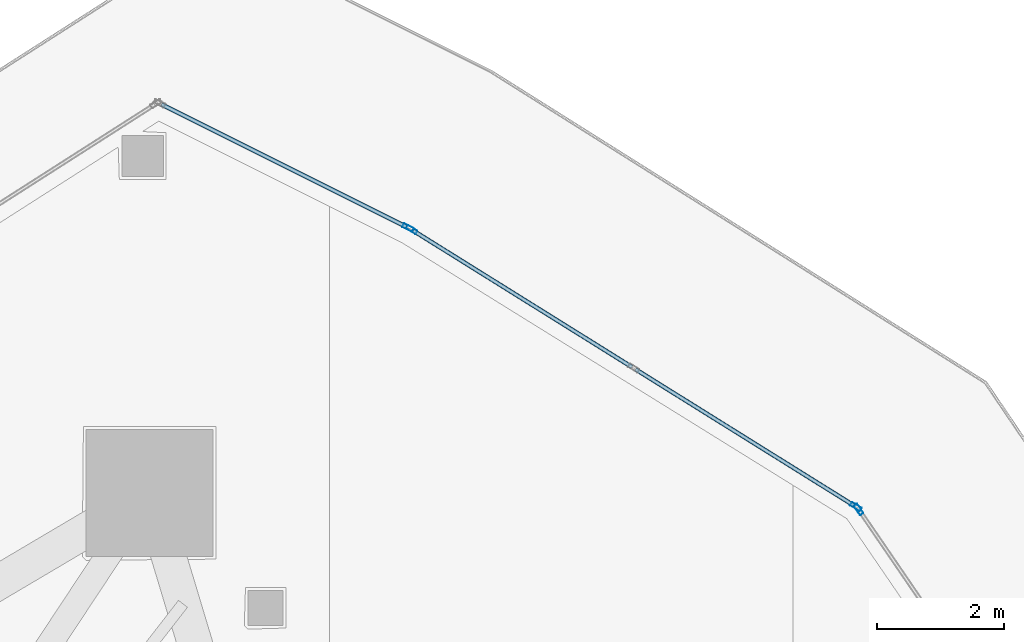
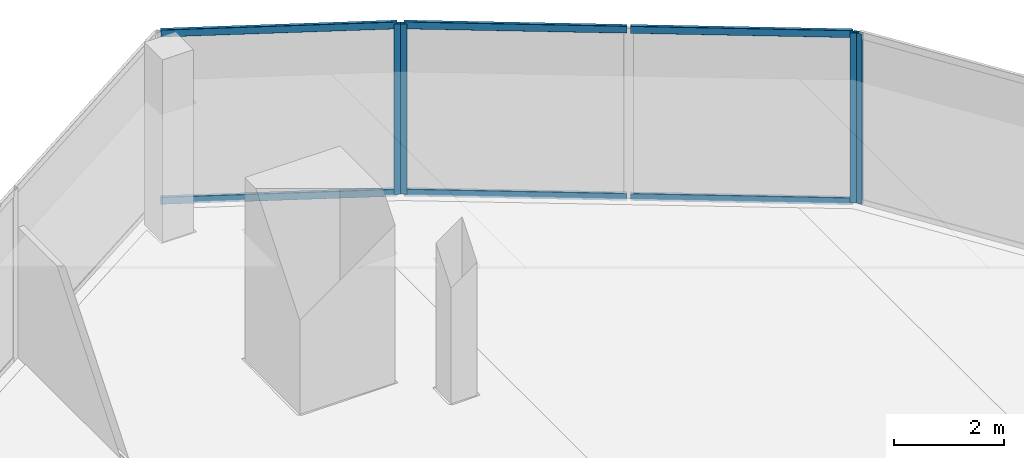
# One storey, part 23 of 36: 10 members, 3 elements without a shape of their own.
"""IFC4 building model written with IfcOpenShell, lengths in metres."""

from ifc_helpers import new_model, si_unit, direction, frame, origin, origin_2d, place, context, subcontext, project, spatial, hollow_rectangle, extrude, material, layer, layer_set, material_profile, profile_set, type_object, element, aggregate, save


model = new_model("IFC4")

# Units and contexts
model_context = context("Model", 3, precision=1e-05, world=origin(), true_north=direction((0.0, 1.0)))
body_context = subcontext(model_context, "Body", "Model", "MODEL_VIEW")
ifc_project = project(units=[si_unit("LENGTHUNIT", "METRE"), si_unit("AREAUNIT", "SQUARE_METRE"), si_unit("VOLUMEUNIT", "CUBIC_METRE"), si_unit("PLANEANGLEUNIT", "RADIAN"), si_unit("MASSUNIT", "GRAM", prefix="KILO")], contexts=[model_context])

# Site, building, storey
site_placement = place(None, origin())
site = spatial("IfcSite", under=ifc_project, at=site_placement, CompositionType="ELEMENT")
building_placement = place(site_placement, origin())
building = spatial("IfcBuilding", under=site, at=building_placement, Name="Qorvath Tower", CompositionType="ELEMENT")
storey_placement = place(building_placement, frame((0.0, 0.0, 205.050048828125)))
storey = spatial("IfcBuildingStorey", under=building, at=storey_placement, Name="L47", CompositionType="ELEMENT", Elevation=205.050048828125)

# Curtain wall, member
ifc_material_1 = material(Name="Anodised aluminium and triple low-E glass", Category="aluminium")
ifc_layer = layer(ifc_material_1, 0.179931640625)
ifc_layer_set = layer_set([ifc_layer], Name="CW-SYS-3")
curtain_wall_type = type_object("IfcCurtainWallType", Name="CW-SYS-3", PredefinedType="NOTDEFINED", material=ifc_layer_set)
curtain_wall_1_placement = place(storey_placement, origin())
curtain_wall_1 = element("IfcCurtainWall", 1, at=curtain_wall_1_placement, inside=storey, type_object=curtain_wall_type, Name="Curtain Wall CW-3 CW-T-L47-13.1", PredefinedType="NOTDEFINED")
ifc_material_2 = material(Name="Anodised aluminium 6063-T6", Category="aluminium")
ifc_material_profile_1 = material_profile(ifc_material_2, hollow_rectangle(XDim=0.06494140625, YDim=0.179931640625, WallThickness=0.00341796875, InnerFilletRadius=0.00341796875, OuterFilletRadius=0.007080078125, at=origin_2d()), Name="CWM 180x65")
ifc_profile_set_1 = profile_set([ifc_material_profile_1], Name="Anodised aluminium 6063-T6")
member_type_1 = type_object("IfcMemberType", Name="CWM-180", PredefinedType="MULLION", material=ifc_profile_set_1)
member_1_placement = place(storey_placement, frame((-5.712890625, 21.366943359375, 0.0), z_axis=(0.0, 0.0, 1.0), x_axis=(-0.825424850974, -0.56451201528, 0.0)))
member_1 = element("IfcMember", 2, at=member_1_placement, type_object=member_type_1, Name="CW-3 mullion 2", PredefinedType="MULLION", context=body_context, shape_type="SweptSolid", body=[
    extrude(hollow_rectangle(XDim=0.06494140625, YDim=0.179931640625, WallThickness=0.00341796875, InnerFilletRadius=0.00341796875, OuterFilletRadius=0.007080078125, at=origin_2d()), origin(), (0.0, 0.0, 1.0), 3.780029296875),
])
aggregate(curtain_wall_1, [member_1])

# Curtain wall, members
curtain_wall_2_placement = place(storey_placement, origin())
curtain_wall_2 = element("IfcCurtainWall", 3, at=curtain_wall_2_placement, inside=storey, type_object=curtain_wall_type, Name="Curtain Wall CW-3 CW-T-L47-14.1", PredefinedType="NOTDEFINED")
member_2_placement = place(storey_placement, frame((-5.7587890625, 21.410888671875, 0.0), z_axis=(0.0, 0.0, 1.0), x_axis=(-0.529206179006, -0.848493264618, 0.0)))
member_2 = element("IfcMember", 4, at=member_2_placement, type_object=member_type_1, Name="CW-3 mullion 1", PredefinedType="MULLION", context=body_context, shape_type="SweptSolid", body=[
    extrude(hollow_rectangle(XDim=0.06494140625, YDim=0.179931640625, WallThickness=0.00341796875, InnerFilletRadius=0.00341796875, OuterFilletRadius=0.007080078125, at=origin_2d()), origin(), (0.0, 0.0, 1.0), 3.780029296875),
])
member_3_placement = place(storey_placement, frame((-12.748046875, 25.770263671875, 0.0), z_axis=(0.0, 0.0, 1.0), x_axis=(-0.529206179006, -0.848493264618, 0.0)))
member_3 = element("IfcMember", 5, at=member_3_placement, type_object=member_type_1, Name="CW-3 mullion 3", PredefinedType="MULLION", context=body_context, shape_type="SweptSolid", body=[
    extrude(hollow_rectangle(XDim=0.06494140625, YDim=0.179931640625, WallThickness=0.00341796875, InnerFilletRadius=0.00341796875, OuterFilletRadius=0.007080078125, at=origin_2d()), origin(), (0.0, 0.0, 1.0), 3.780029296875),
])

# Curtain wall, member
curtain_wall_3_placement = place(storey_placement, origin())
curtain_wall_3 = element("IfcCurtainWall", 6, at=curtain_wall_3_placement, inside=storey, type_object=curtain_wall_type, Name="Curtain Wall CW-3 CW-T-L47-15.1", PredefinedType="NOTDEFINED")
member_4_placement = place(storey_placement, frame((-12.8046875, 25.802001953125, 0.0), z_axis=(0.0, 0.0, 1.0), x_axis=(-0.44720457744, -0.894431699973, 0.0)))
member_4 = element("IfcMember", 7, at=member_4_placement, type_object=member_type_1, Name="CW-3 mullion 1", PredefinedType="MULLION", context=body_context, shape_type="SweptSolid", body=[
    extrude(hollow_rectangle(XDim=0.06494140625, YDim=0.179931640625, WallThickness=0.00341796875, InnerFilletRadius=0.00341796875, OuterFilletRadius=0.007080078125, at=origin_2d()), origin(), (0.0, 0.0, 1.0), 3.780029296875),
])

# Member
ifc_material_3 = material(Name="Anodised aluminium 6063-T6", Category="aluminium")
ifc_material_profile_2 = material_profile(ifc_material_3, hollow_rectangle(XDim=0.06494140625, YDim=0.159912109375, WallThickness=0.00341796875, InnerFilletRadius=0.00341796875, OuterFilletRadius=0.007080078125, at=origin_2d()), Name="CWT 160x65")
ifc_profile_set_2 = profile_set([ifc_material_profile_2], Name="Anodised aluminium 6063-T6")
member_type_2 = type_object("IfcMemberType", Name="CWT-160", PredefinedType="USERDEFINED", material=ifc_profile_set_2)
member_5_placement = place(storey_placement, frame((-5.786376953125, 21.42822265625, 0.032470703125), z_axis=(-0.848485179469, 0.529219141964, 0.0), x_axis=(-0.529219141964, -0.848485179469, 0.0)))
member_5 = element("IfcMember", 8, at=member_5_placement, type_object=member_type_2, Name="CW-3 transom 1.1", ObjectType="TRANSOM", PredefinedType="USERDEFINED", context=body_context, shape_type="SweptSolid", body=[
    extrude(hollow_rectangle(XDim=0.06494140625, YDim=0.159912109375, WallThickness=0.00341796875, InnerFilletRadius=0.00341796875, OuterFilletRadius=0.007080078125, at=origin_2d()), origin(), (0.0, 0.0, 1.0), 4.0537109375),
])

member_6_placement = place(storey_placement, frame((-5.786376953125, 21.42822265625, 3.74755859375), z_axis=(-0.848485179469, 0.529219141964, 0.0), x_axis=(-0.529219141964, -0.848485179469, 0.0)))
member_6 = element("IfcMember", 9, at=member_6_placement, type_object=member_type_2, Name="CW-3 transom 1.2", ObjectType="TRANSOM", PredefinedType="USERDEFINED", context=body_context, shape_type="SweptSolid", body=[
    extrude(hollow_rectangle(XDim=0.06494140625, YDim=0.159912109375, WallThickness=0.00341796875, InnerFilletRadius=0.00341796875, OuterFilletRadius=0.007080078125, at=origin_2d()), origin(), (0.0, 0.0, 1.0), 4.0537109375),
])

member_7_placement = place(storey_placement, frame((-9.281005859375, 23.60791015625, 0.032470703125), z_axis=(-0.848512223459, 0.529175780474, 0.0), x_axis=(-0.529175780474, -0.848512223459, 0.0)))
member_7 = element("IfcMember", 10, at=member_7_placement, type_object=member_type_2, Name="CW-3 transom 2.1", ObjectType="TRANSOM", PredefinedType="USERDEFINED", context=body_context, shape_type="SweptSolid", body=[
    extrude(hollow_rectangle(XDim=0.06494140625, YDim=0.159912109375, WallThickness=0.00341796875, InnerFilletRadius=0.00341796875, OuterFilletRadius=0.007080078125, at=origin_2d()), origin(), (0.0, 0.0, 1.0), 4.053466796875),
])

member_8_placement = place(storey_placement, frame((-9.281005859375, 23.60791015625, 3.74755859375), z_axis=(-0.848512223459, 0.529175780474, 0.0), x_axis=(-0.529175780474, -0.848512223459, 0.0)))
member_8 = element("IfcMember", 11, at=member_8_placement, type_object=member_type_2, Name="CW-3 transom 2.2", ObjectType="TRANSOM", PredefinedType="USERDEFINED", context=body_context, shape_type="SweptSolid", body=[
    extrude(hollow_rectangle(XDim=0.06494140625, YDim=0.159912109375, WallThickness=0.00341796875, InnerFilletRadius=0.00341796875, OuterFilletRadius=0.007080078125, at=origin_2d()), origin(), (0.0, 0.0, 1.0), 4.053466796875),
])

aggregate(curtain_wall_2, [member_2, member_3, member_5, member_6, member_7, member_8])

member_9_placement = place(storey_placement, frame((-12.833740234375, 25.81640625, 0.032470703125), z_axis=(-0.894427191, 0.4472135955, 0.0), x_axis=(-0.4472135955, -0.894427191, 0.0)))
member_9 = element("IfcMember", 12, at=member_9_placement, type_object=member_type_2, Name="CW-3 transom 1.1", ObjectType="TRANSOM", PredefinedType="USERDEFINED", context=body_context, shape_type="SweptSolid", body=[
    extrude(hollow_rectangle(XDim=0.06494140625, YDim=0.159912109375, WallThickness=0.00341796875, InnerFilletRadius=0.00341796875, OuterFilletRadius=0.007080078125, at=origin_2d()), origin(), (0.0, 0.0, 1.0), 4.3056640625),
])

member_10_placement = place(storey_placement, frame((-12.833740234375, 25.81640625, 3.74755859375), z_axis=(-0.894427191, 0.4472135955, 0.0), x_axis=(-0.4472135955, -0.894427191, 0.0)))
member_10 = element("IfcMember", 13, at=member_10_placement, type_object=member_type_2, Name="CW-3 transom 1.2", ObjectType="TRANSOM", PredefinedType="USERDEFINED", context=body_context, shape_type="SweptSolid", body=[
    extrude(hollow_rectangle(XDim=0.06494140625, YDim=0.159912109375, WallThickness=0.00341796875, InnerFilletRadius=0.00341796875, OuterFilletRadius=0.007080078125, at=origin_2d()), origin(), (0.0, 0.0, 1.0), 4.3056640625),
])

aggregate(curtain_wall_3, [member_4, member_9, member_10])

save(model, "model.ifc")
